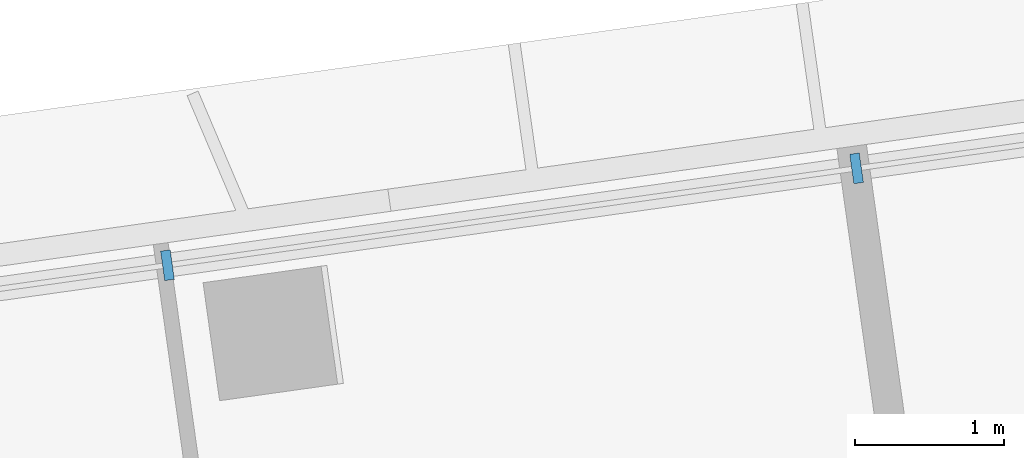
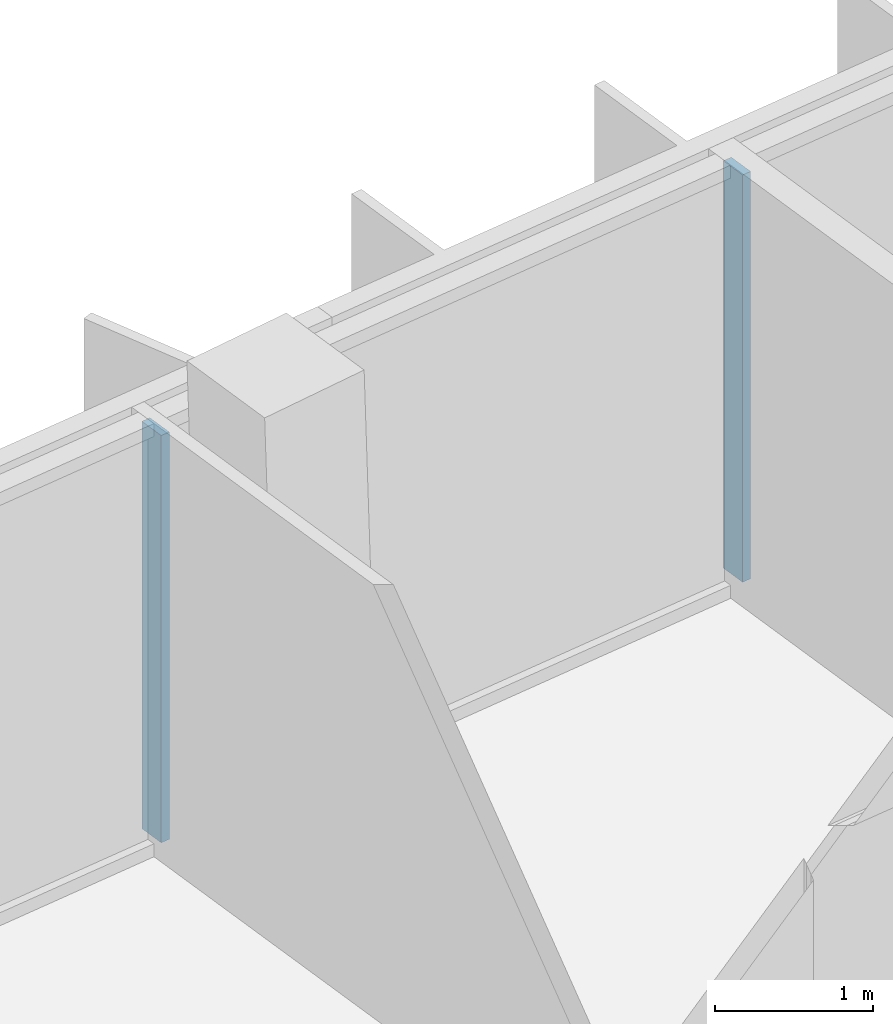
# One storey, part 9 of 22: 2 members, 1 element without a shape of its own.
"""IFC4 building model written with IfcOpenShell, lengths in metres."""

from ifc_helpers import new_model, si_unit, direction, frame, origin, origin_2d, place, context, subcontext, project, spatial, rectangle, extrude, material, material_profile, profile_set, type_object, element, aggregate, save


model = new_model("IFC4")

# Units and contexts
model_context = context("Model", 3, precision=1e-05, world=origin(), true_north=direction((0.0, 1.0)))
body_context = subcontext(model_context, "Body", "Model", "MODEL_VIEW")
ifc_project = project(units=[si_unit("LENGTHUNIT", "METRE"), si_unit("AREAUNIT", "SQUARE_METRE"), si_unit("VOLUMEUNIT", "CUBIC_METRE"), si_unit("PLANEANGLEUNIT", "RADIAN"), si_unit("MASSUNIT", "GRAM", prefix="KILO")], contexts=[model_context])

# Site, building, storey
site_placement = place(None, origin())
site = spatial("IfcSite", under=ifc_project, at=site_placement, CompositionType="ELEMENT")
building_placement = place(site_placement, origin())
building = spatial("IfcBuilding", under=site, at=building_placement, Name="Mirante Cascada Hotel Towers", CompositionType="ELEMENT")
storey_placement = place(building_placement, frame((0.0, 0.0, 191.6)))
storey = spatial("IfcBuildingStorey", under=building, at=storey_placement, Name="L45", CompositionType="ELEMENT", Elevation=191.6)

# Curtain wall, members
ifc_material_1 = material(Name="Aluminium mullion and transom frame with clear laminated glass", Category="aluminium")
curtain_wall_type = type_object("IfcCurtainWallType", Name="Ribbon curtain wall ECW1", PredefinedType="NOTDEFINED", material=ifc_material_1)
curtain_wall_placement = place(storey_placement, origin())
curtain_wall = element("IfcCurtainWall", 1, at=curtain_wall_placement, inside=storey, type_object=curtain_wall_type, Name="Front ribbon wall T2 L45", PredefinedType="NOTDEFINED")
ifc_material_2 = material(Name="Anodised aluminium extrusion", Category="aluminium")
ifc_material_profile = material_profile(ifc_material_2, rectangle(XDim=0.2, YDim=0.065, at=origin_2d()), Name="ECW1 MULLION 65x200")
ifc_profile_set = profile_set([ifc_material_profile], Name="Anodised aluminium extrusion")
member_type = type_object("IfcMemberType", Name="ECW1 mullion 65x200", PredefinedType="MULLION", material=ifc_profile_set)
member_1_placement = place(storey_placement, frame((48.5594, 19.6436, 0.1), z_axis=(0.0, 0.0, 1.0), x_axis=(0.1391731, -0.9902681, 0.0)))
member_1 = element("IfcMember", 2, at=member_1_placement, type_object=member_type, Name="ECW1 mullion 7", PredefinedType="MULLION", context=body_context, shape_type="SweptSolid", body=[
    extrude(rectangle(XDim=0.2, YDim=0.065, at=origin_2d()), origin(), (0.0, 0.0, 1.0), 3.15),
])
member_2_placement = place(storey_placement, frame((43.9304, 18.993, 0.1), z_axis=(0.0, 0.0, 1.0), x_axis=(0.1391731, -0.9902681, 0.0)))
member_2 = element("IfcMember", 3, at=member_2_placement, type_object=member_type, Name="ECW1 mullion 8", PredefinedType="MULLION", context=body_context, shape_type="SweptSolid", body=[
    extrude(rectangle(XDim=0.2, YDim=0.065, at=origin_2d()), origin(), (0.0, 0.0, 1.0), 3.15),
])
aggregate(curtain_wall, [member_1, member_2])

save(model, "model.ifc")
